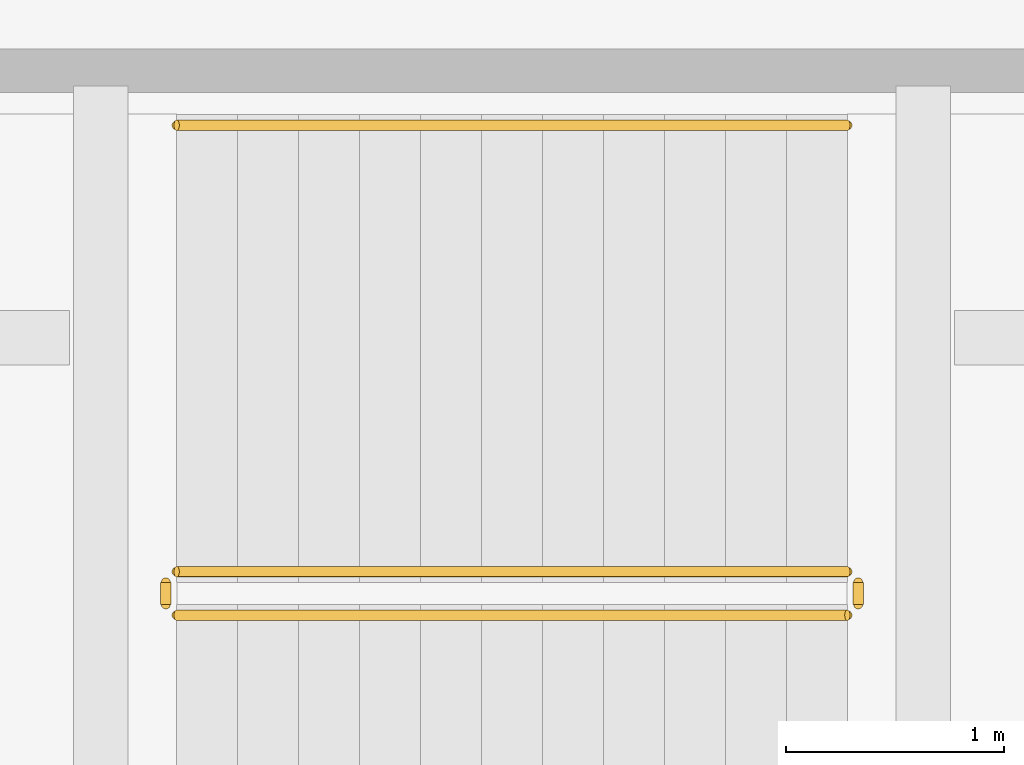
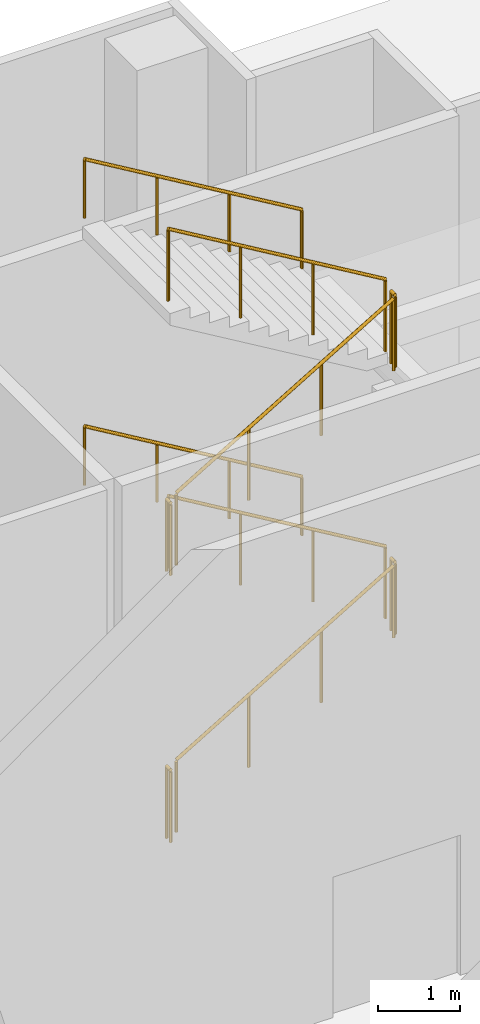
# One storey, part 28 of 30: 10 railings.
"""IFC4 building model written with IfcOpenShell, lengths in metres."""

from ifc_helpers import new_model, si_unit, direction, frame, origin, origin_2d, place, context, subcontext, project, spatial, circle, extrude, material, type_object, element, save


model = new_model("IFC4")

# Units and contexts
model_context = context("Model", 3, precision=1e-05, world=origin(), true_north=direction((0.0, 1.0)))
body_context = subcontext(model_context, "Body", "Model", "MODEL_VIEW")
ifc_project = project(units=[si_unit("LENGTHUNIT", "METRE"), si_unit("AREAUNIT", "SQUARE_METRE"), si_unit("VOLUMEUNIT", "CUBIC_METRE"), si_unit("PLANEANGLEUNIT", "RADIAN"), si_unit("MASSUNIT", "GRAM", prefix="KILO")], contexts=[model_context])

# Site, building, storey
site_placement = place(None, origin())
site = spatial("IfcSite", under=ifc_project, at=site_placement, CompositionType="ELEMENT")
building_placement = place(site_placement, origin())
building = spatial("IfcBuilding", under=site, at=building_placement, Name="Verdalira Terraces Hotel", CompositionType="ELEMENT")
storey_placement = place(building_placement, origin())
storey = spatial("IfcBuildingStorey", under=building, at=storey_placement, Name="L00", CompositionType="ELEMENT", Elevation=0.0)

# Railings
ifc_material_1 = material(Name="Stainless steel", Category="steel")
railing_type_1 = type_object("IfcRailingType", Name="Stair guard 1100", PredefinedType="GUARDRAIL", material=ifc_material_1)
railing_1_placement = place(storey_placement, frame((-0.75, 38.699951, 0.166748)))
element("IfcRailing", 1, at=railing_1_placement, inside=storey, type_object=railing_type_1, Name="L00 PS1 stair guard 1", PredefinedType="GUARDRAIL", context=body_context, shape_type="SweptSolid", body=[
    extrude(circle(Radius=0.023926, at=origin_2d()), frame((0.0, 0.0, 1.076172), z_axis=(0.859308565, 0.0, 0.511457515), x_axis=(0.0, 1.0, 0.0)), (0.0, 0.0, 1.0), 3.584473),
    extrude(circle(Radius=0.020996, at=origin_2d()), origin(), (0.0, 0.0, 1.0), 1.052002),
    extrude(circle(Radius=0.020996, at=origin_2d()), frame((1.026611, 0.0, 0.611084)), (0.0, 0.0, 1.0), 1.052002),
    extrude(circle(Radius=0.020996, at=origin_2d()), frame((2.053467, 0.0, 1.222168)), (0.0, 0.0, 1.0), 1.052002),
    extrude(circle(Radius=0.020996, at=origin_2d()), frame((3.080078, 0.0, 1.833252)), (0.0, 0.0, 1.0), 1.052002),
])
railing_2_placement = place(storey_placement, frame((2.379883, 38.75, 2.0)))
element("IfcRailing", 2, at=railing_2_placement, inside=storey, type_object=railing_type_1, Name="L00 PS1 stair guard 2", PredefinedType="GUARDRAIL", context=body_context, shape_type="SweptSolid", body=[
    extrude(circle(Radius=0.023926, at=origin_2d()), frame((0.0, 0.0, 1.076172), z_axis=(0.0, 1.0, 0.0), x_axis=(-1.0, 0.0, 0.0)), (0.0, 0.0, 1.0), 0.100098),
    extrude(circle(Radius=0.020996, at=origin_2d()), origin(), (0.0, 0.0, 1.0), 1.052002),
    extrude(circle(Radius=0.020996, at=origin_2d()), frame((0.0, 0.100098, 0.0)), (0.0, 0.0, 1.0), 1.052002),
])
railing_3_placement = place(storey_placement, frame((2.330078, 38.899902, 2.166748)))
element("IfcRailing", 3, at=railing_3_placement, inside=storey, type_object=railing_type_1, Name="L00 PS1 stair guard 3", PredefinedType="GUARDRAIL", context=body_context, shape_type="SweptSolid", body=[
    extrude(circle(Radius=0.023926, at=origin_2d()), frame((0.0, 0.0, 1.076172), z_axis=(-0.859308565, 0.0, 0.511457515), x_axis=(0.0, -1.0, 0.0)), (0.0, 0.0, 1.0), 3.584473),
    extrude(circle(Radius=0.020996, at=origin_2d()), origin(), (0.0, 0.0, 1.0), 1.052002),
    extrude(circle(Radius=0.020996, at=origin_2d()), frame((-1.026611, 0.0, 0.611084)), (0.0, 0.0, 1.0), 1.052002),
    extrude(circle(Radius=0.020996, at=origin_2d()), frame((-2.053467, 0.0, 1.222168)), (0.0, 0.0, 1.0), 1.052002),
    extrude(circle(Radius=0.020996, at=origin_2d()), frame((-3.080078, 0.0, 1.833252)), (0.0, 0.0, 1.0), 1.052002),
])
railing_4_placement = place(storey_placement, frame((-0.800049, 38.75, 4.0)))
element("IfcRailing", 4, at=railing_4_placement, inside=storey, type_object=railing_type_1, Name="L00 PS1 stair guard 4", PredefinedType="GUARDRAIL", context=body_context, shape_type="SweptSolid", body=[
    extrude(circle(Radius=0.023926, at=origin_2d()), frame((0.0, 0.0, 1.076172), z_axis=(0.0, 1.0, 0.0), x_axis=(-1.0, 0.0, 0.0)), (0.0, 0.0, 1.0), 0.100098),
    extrude(circle(Radius=0.020996, at=origin_2d()), origin(), (0.0, 0.0, 1.0), 1.052002),
    extrude(circle(Radius=0.020996, at=origin_2d()), frame((0.0, 0.100098, 0.0)), (0.0, 0.0, 1.0), 1.052002),
])
railing_5_placement = place(storey_placement, frame((-0.75, 38.699951, 4.166748)))
element("IfcRailing", 5, at=railing_5_placement, inside=storey, type_object=railing_type_1, Name="L00 PS1 stair guard 5", PredefinedType="GUARDRAIL", context=body_context, shape_type="SweptSolid", body=[
    extrude(circle(Radius=0.023926, at=origin_2d()), frame((0.0, 0.0, 1.076172), z_axis=(0.859308565, 0.0, 0.511457515), x_axis=(0.0, 1.0, 0.0)), (0.0, 0.0, 1.0), 3.584473),
    extrude(circle(Radius=0.020996, at=origin_2d()), origin(), (0.0, 0.0, 1.0), 1.052002),
    extrude(circle(Radius=0.020996, at=origin_2d()), frame((1.026611, 0.0, 0.611084)), (0.0, 0.0, 1.0), 1.052002),
    extrude(circle(Radius=0.020996, at=origin_2d()), frame((2.053467, 0.0, 1.222168)), (0.0, 0.0, 1.0), 1.052002),
    extrude(circle(Radius=0.020996, at=origin_2d()), frame((3.080078, 0.0, 1.833252)), (0.0, 0.0, 1.0), 1.052002),
])
railing_6_placement = place(storey_placement, frame((2.379883, 38.75, 6.0)))
element("IfcRailing", 6, at=railing_6_placement, inside=storey, type_object=railing_type_1, Name="L00 PS1 stair guard 6", PredefinedType="GUARDRAIL", context=body_context, shape_type="SweptSolid", body=[
    extrude(circle(Radius=0.023926, at=origin_2d()), frame((0.0, 0.0, 1.076172), z_axis=(0.0, 1.0, 0.0), x_axis=(-1.0, 0.0, 0.0)), (0.0, 0.0, 1.0), 0.100098),
    extrude(circle(Radius=0.020996, at=origin_2d()), origin(), (0.0, 0.0, 1.0), 1.052002),
    extrude(circle(Radius=0.020996, at=origin_2d()), frame((0.0, 0.100098, 0.0)), (0.0, 0.0, 1.0), 1.052002),
])
railing_7_placement = place(storey_placement, frame((2.330078, 38.899902, 6.166748)))
element("IfcRailing", 7, at=railing_7_placement, inside=storey, type_object=railing_type_1, Name="L00 PS1 stair guard 7", PredefinedType="GUARDRAIL", context=body_context, shape_type="SweptSolid", body=[
    extrude(circle(Radius=0.023926, at=origin_2d()), frame((0.0, 0.0, 1.076172), z_axis=(-0.859308565, 0.0, 0.511457515), x_axis=(0.0, -1.0, 0.0)), (0.0, 0.0, 1.0), 3.584473),
    extrude(circle(Radius=0.020996, at=origin_2d()), origin(), (0.0, 0.0, 1.0), 1.052002),
    extrude(circle(Radius=0.020996, at=origin_2d()), frame((-1.026611, 0.0, 0.611084)), (0.0, 0.0, 1.0), 1.052002),
    extrude(circle(Radius=0.020996, at=origin_2d()), frame((-2.053467, 0.0, 1.222168)), (0.0, 0.0, 1.0), 1.052002),
    extrude(circle(Radius=0.020996, at=origin_2d()), frame((-3.080078, 0.0, 1.833252)), (0.0, 0.0, 1.0), 1.052002),
])
railing_8_placement = place(storey_placement, frame((-0.800049, 38.75, 0.0)))
element("IfcRailing", 8, at=railing_8_placement, inside=storey, type_object=railing_type_1, Name="L00 PS1 stair guard 8", PredefinedType="GUARDRAIL", context=body_context, shape_type="SweptSolid", body=[
    extrude(circle(Radius=0.023926, at=origin_2d()), frame((0.0, 0.0, 1.076172), z_axis=(0.0, 1.0, 0.0), x_axis=(-1.0, 0.0, 0.0)), (0.0, 0.0, 1.0), 0.100098),
    extrude(circle(Radius=0.020996, at=origin_2d()), origin(), (0.0, 0.0, 1.0), 1.052002),
    extrude(circle(Radius=0.020996, at=origin_2d()), frame((0.0, 0.100098, 0.0)), (0.0, 0.0, 1.0), 1.052002),
])
ifc_material_2 = material(Name="Stainless steel", Category="steel")
railing_type_2 = type_object("IfcRailingType", Name="Stair handrail 900", PredefinedType="HANDRAIL", material=ifc_material_2)
for number, where, name in (
    (9, (2.330078, 40.949951, 2.166748), "L00 PS1 stair handrail 2"),
    (10, (2.330078, 40.949951, 6.166748), "L00 PS1 stair handrail 4"),
):
    element("IfcRailing", number, at=place(storey_placement, frame(where)), inside=storey, type_object=railing_type_2, Name=name, PredefinedType="HANDRAIL", context=body_context, shape_type="SweptSolid", body=[
        extrude(circle(Radius=0.023926, at=origin_2d()), frame((0.0, 0.0, 0.875977), z_axis=(-0.859308565, 0.0, 0.511457515), x_axis=(0.0, -1.0, 0.0)), (0.0, 0.0, 1.0), 3.584473),
        extrude(circle(Radius=0.020996, at=origin_2d()), origin(), (0.0, 0.0, 1.0), 0.851807),
        extrude(circle(Radius=0.020996, at=origin_2d()), frame((-1.026611, 0.0, 0.611084)), (0.0, 0.0, 1.0), 0.851807),
        extrude(circle(Radius=0.020996, at=origin_2d()), frame((-2.053467, 0.0, 1.222168)), (0.0, 0.0, 1.0), 0.851807),
        extrude(circle(Radius=0.020996, at=origin_2d()), frame((-3.080078, 0.0, 1.833252)), (0.0, 0.0, 1.0), 0.851807),
    ])

save(model, "model.ifc")
